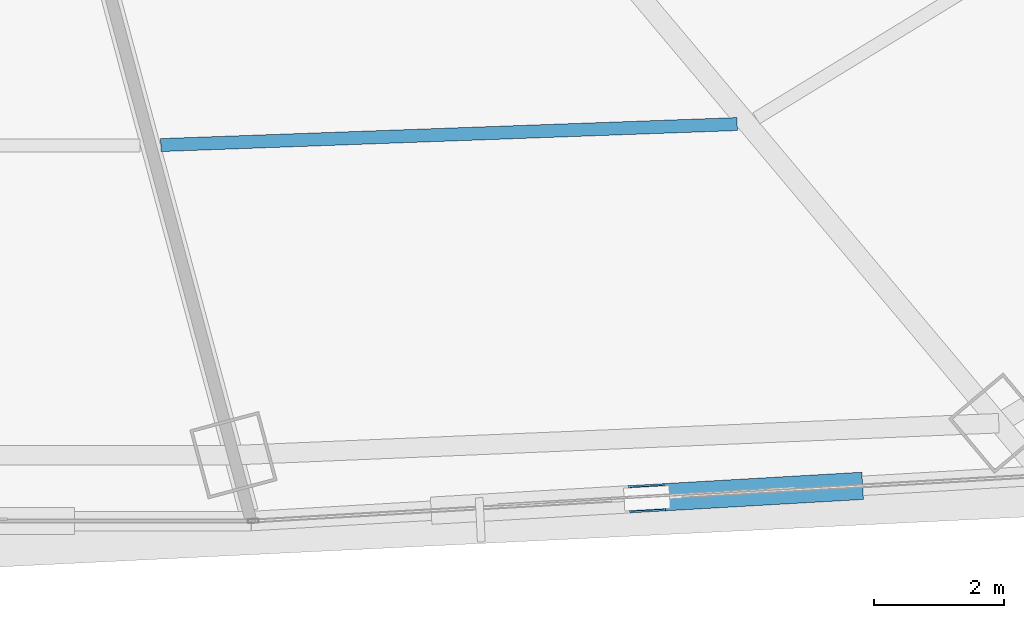
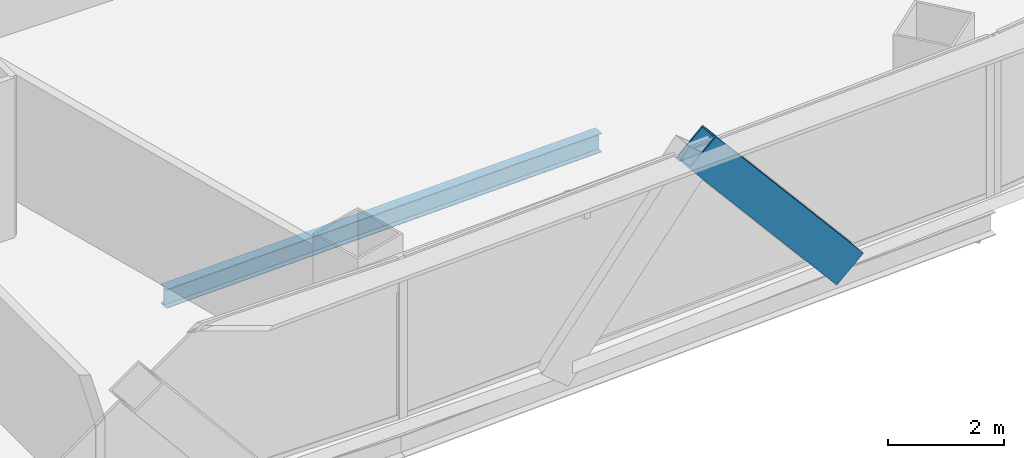
# One storey, part 11 of 40: 1 beam, 1 member.
"""IFC4 building model written with IfcOpenShell, lengths in metres."""

from ifc_helpers import new_model, si_unit, direction, frame, origin, origin_2d, place, context, subcontext, project, spatial, hollow_rectangle, i_section, extrude, source, transform, mapped, material, material_profile, profile_set, type_object, element, save


model = new_model("IFC4")

# Units and contexts
model_context = context("Model", 3, precision=1e-05, world=origin(), true_north=direction((0.0, 1.0)))
body_context = subcontext(model_context, "Body", "Model", "MODEL_VIEW")
ifc_project = project(units=[si_unit("LENGTHUNIT", "METRE"), si_unit("AREAUNIT", "SQUARE_METRE"), si_unit("VOLUMEUNIT", "CUBIC_METRE"), si_unit("PLANEANGLEUNIT", "RADIAN"), si_unit("MASSUNIT", "GRAM", prefix="KILO"), si_unit("THERMODYNAMICTEMPERATUREUNIT", "KELVIN"), si_unit("POWERUNIT", "WATT")], contexts=[model_context])

# Site, building, storey
site_placement = place(None, origin())
site = spatial("IfcSite", under=ifc_project, at=site_placement, CompositionType="ELEMENT")
building_placement = place(site_placement, origin())
building = spatial("IfcBuilding", under=site, at=building_placement, Name="Yunzhuo Pagoda Commons", CompositionType="ELEMENT")
storey_placement = place(building_placement, frame((0.0, 0.0, 66.699951171875)))
storey = spatial("IfcBuildingStorey", under=building, at=storey_placement, Name="L17", CompositionType="ELEMENT", Elevation=66.699951171875)

# Beam
ifc_material_1 = material(Name="Structural steel Q355B", Category="steel")
ifc_material_profile_1 = material_profile(ifc_material_1, i_section(OverallWidth=0.199951171875, OverallDepth=0.39990234375, WebThickness=0.008056640625, FlangeThickness=0.012939453125, at=origin_2d()), Name="Structural steel Q355B")
ifc_profile_set_1 = profile_set([ifc_material_profile_1], Name="Structural steel Q355B")
beam_type = type_object("IfcBeamType", Name="B-JS1 Joist HN 400x200x8x13", PredefinedType="JOIST", material=ifc_profile_set_1)
shared_shape_1 = source(origin(), body_context, "Body", "SweptSolid", [
    extrude(i_section(OverallWidth=0.199951171875, OverallDepth=0.39990234375, WebThickness=0.008056640625, FlangeThickness=0.012939453125, at=origin_2d()), origin(), (0.0, 0.0, 1.0), 8.876953125),
])
beam_placement = place(storey_placement, frame((52.601806640625, 17.125, -0.4599609375), z_axis=(0.999335806416, 0.036440993601, 0.0), x_axis=(-0.036440993601, 0.999335806416, 0.0)))
element("IfcBeam", 1, at=beam_placement, inside=storey, type_object=beam_type, Name="L17 composite ring joist 2.3", PredefinedType="JOIST", context=body_context, shape_type="MappedRepresentation", body=[
    mapped(shared_shape_1, transform((0.0, 0.0, 0.0), scale=1.0)),
])

# Member
ifc_material_2 = material(Name="Structural steel Q420B", Category="steel")
ifc_material_profile_2 = material_profile(ifc_material_2, hollow_rectangle(XDim=0.419921875, YDim=0.719970703125, WallThickness=0.028076171875, at=origin_2d()), Name="Structural steel Q420B")
ifc_profile_set_2 = profile_set([ifc_material_profile_2], Name="Structural steel Q420B")
member_type = type_object("IfcMemberType", Name="M-DL1 Brace BOX 720x420x28", PredefinedType="BRACE", material=ifc_profile_set_2)
shared_shape_2 = source(origin(), body_context, "Body", "SweptSolid", [
    extrude(hollow_rectangle(XDim=0.419921875, YDim=0.719970703125, WallThickness=0.028076171875, at=origin_2d()), origin(), (0.0, 0.0, 1.0), 4.74169921875),
])
member_placement = place(storey_placement, frame((63.129150390625, 11.864501953125, -0.260009765625), z_axis=(-0.642299506197, -0.037019105808, 0.765559227065), x_axis=(0.05753978125, -0.998343214317, 0.0)))
element("IfcMember", 2, at=member_placement, inside=storey, type_object=member_type, Name="L17 facade diamond brace F1.3R", PredefinedType="BRACE", context=body_context, shape_type="MappedRepresentation", body=[
    mapped(shared_shape_2, transform((0.0, 0.0, 0.0), scale=1.0)),
])

save(model, "model.ifc")
